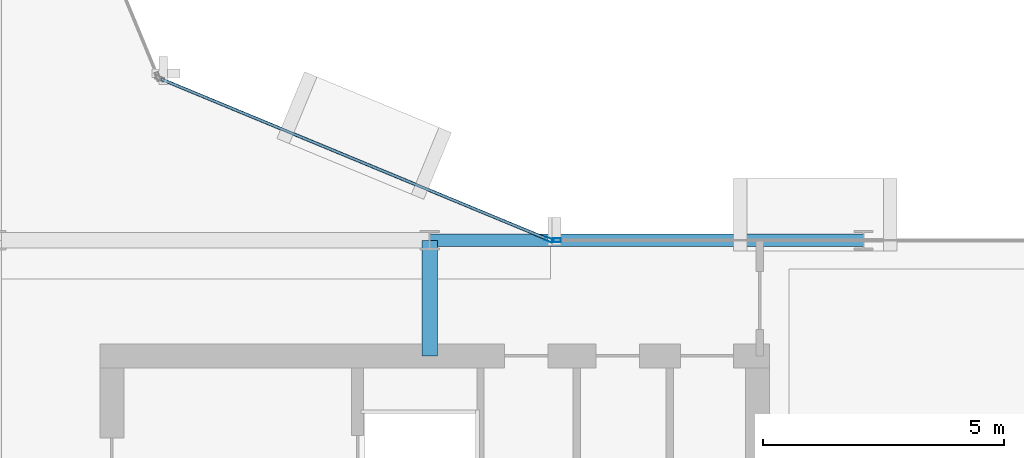
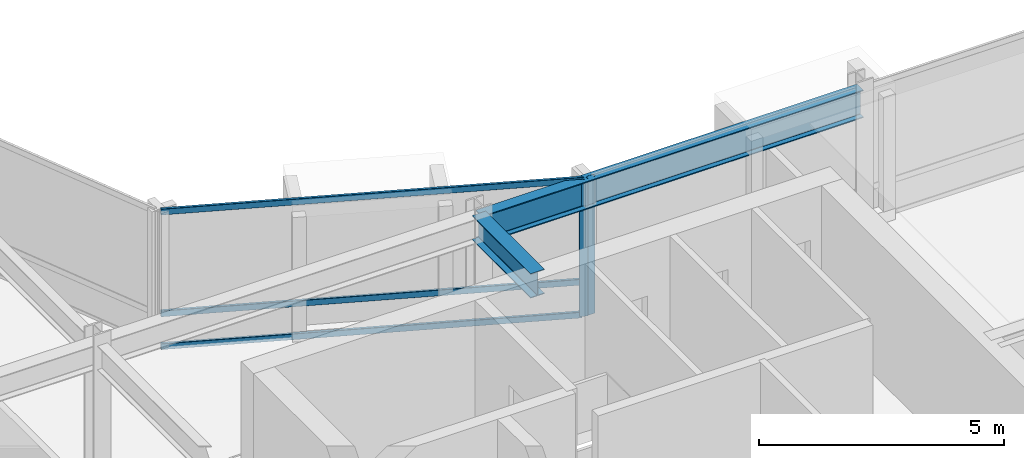
# One storey, part 12 of 27: 5 members, 2 beams, 2 elements without a shape of their own.
"""IFC4 building model written with IfcOpenShell, lengths in metres."""

from ifc_helpers import new_model, si_unit, direction, frame, origin, origin_2d, place, context, subcontext, project, spatial, hollow_rectangle, i_section, extrude, material, layer, layer_set, material_profile, profile_set, type_object, element, aggregate, save


model = new_model("IFC4")

# Units and contexts
model_context = context("Model", 3, precision=1e-05, world=origin(), true_north=direction((0.0, 1.0)))
body_context = subcontext(model_context, "Body", "Model", "MODEL_VIEW")
ifc_project = project(units=[si_unit("LENGTHUNIT", "METRE"), si_unit("AREAUNIT", "SQUARE_METRE"), si_unit("VOLUMEUNIT", "CUBIC_METRE"), si_unit("PLANEANGLEUNIT", "RADIAN"), si_unit("MASSUNIT", "GRAM", prefix="KILO")], contexts=[model_context])

# Site, building, storey
site_placement = place(None, origin())
site = spatial("IfcSite", under=ifc_project, at=site_placement, CompositionType="ELEMENT")
building_placement = place(site_placement, origin())
building = spatial("IfcBuilding", under=site, at=building_placement, Name="Solvaryn Broadcast Tower", CompositionType="ELEMENT")
storey_placement = place(building_placement, frame((0.0, 0.0, 221.0)))
storey = spatial("IfcBuildingStorey", under=building, at=storey_placement, Name="L55", CompositionType="ELEMENT", Elevation=221.0)

# Beams
ifc_material_1 = material(Name="Steel ASTM A992 Grade 50", Category="steel")
ifc_material_profile_1 = material_profile(ifc_material_1, i_section(OverallWidth=0.323974609375, OverallDepth=0.611083984375, WebThickness=0.0126953125, FlangeThickness=0.01904296875, FilletRadius=0.014892578125, at=origin_2d()))
ifc_profile_set_1 = profile_set([ifc_material_profile_1], Name="Steel ASTM A992 Grade 50")
beam_type_1 = type_object("IfcBeamType", Name="BM-B1-W24X104", PredefinedType="BEAM", material=ifc_profile_set_1)
beam_1_placement = place(storey_placement, frame((36.0, 24.60009765625, 3.114501953125), z_axis=(0.0, 1.0, 0.0), x_axis=(-1.0, 0.0, 0.0)))
element("IfcBeam", 1, at=beam_1_placement, inside=storey, type_object=beam_type_1, Name="L55 Core Tie Beam CTE2", PredefinedType="BEAM", context=body_context, shape_type="SweptSolid", body=[
    extrude(i_section(OverallWidth=0.323974609375, OverallDepth=0.611083984375, WebThickness=0.0126953125, FlangeThickness=0.01904296875, FilletRadius=0.014892578125, at=origin_2d()), origin(), (0.0, 0.0, 1.0), 2.39990234375),
])
ifc_material_2 = material(Name="Steel ASTM A992 Grade 50", Category="steel")
ifc_material_profile_2 = material_profile(ifc_material_2, i_section(OverallWidth=0.256103515625, OverallDepth=0.693115234375, WebThickness=0.014404296875, FlangeThickness=0.023681640625, FilletRadius=0.01611328125, at=origin_2d()))
ifc_profile_set_2 = profile_set([ifc_material_profile_2], Name="Steel ASTM A992 Grade 50")
beam_type_2 = type_object("IfcBeamType", Name="BM-SP3-W27X114", PredefinedType="USERDEFINED", material=ifc_profile_set_2)
beam_2_placement = place(storey_placement, frame((36.0, 27.0, 3.073486328125), z_axis=(1.0, 0.0, 0.0), x_axis=(0.0, 1.0, 0.0)))
element("IfcBeam", 2, at=beam_2_placement, inside=storey, type_object=beam_type_2, Name="L55 Spandrel Beam X (36-45 @ Y=27)", ObjectType="SPANDREL", PredefinedType="USERDEFINED", context=body_context, shape_type="SweptSolid", body=[
    extrude(i_section(OverallWidth=0.256103515625, OverallDepth=0.693115234375, WebThickness=0.014404296875, FlangeThickness=0.023681640625, FilletRadius=0.01611328125, at=origin_2d()), origin(), (0.0, 0.0, 1.0), 9.0),
])

# Curtain wall, member
ifc_material_3 = material(Name="Aluminium and Terracotta Unitised Curtain Wall", Category="masonry")
ifc_layer = layer(ifc_material_3, 0.199951171875)
ifc_layer_set = layer_set([ifc_layer], Name="CW-SYS2-LOWMID")
curtain_wall_type = type_object("IfcCurtainWallType", Name="CW-SYS2-LOWMID", PredefinedType="NOTDEFINED", material=ifc_layer_set)
curtain_wall_1_placement = place(storey_placement, origin())
curtain_wall_1 = element("IfcCurtainWall", 3, at=curtain_wall_1_placement, inside=storey, type_object=curtain_wall_type, Name="L55 Curtain Wall CN1", PredefinedType="NOTDEFINED")
ifc_material_4 = material(Name="Anodised Aluminium 6063-T6", Category="aluminium")
ifc_material_profile_3 = material_profile(ifc_material_4, hollow_rectangle(XDim=0.074951171875, YDim=0.179931640625, WallThickness=0.00390625, InnerFilletRadius=0.00390625, OuterFilletRadius=0.008056640625, at=origin_2d()))
ifc_profile_set_3 = profile_set([ifc_material_profile_3], Name="Anodised Aluminium 6063-T6")
member_type_1 = type_object("IfcMemberType", Name="CW-MUL-180", PredefinedType="MULLION", material=ifc_profile_set_3)
member_1_placement = place(storey_placement, frame((38.47216796875, 27.011474609375, 0.0), z_axis=(0.0, 0.0, 1.0), x_axis=(-0.382646127145, -0.923894983957, 0.0)))
member_1 = element("IfcMember", 4, at=member_1_placement, type_object=member_type_1, Name="CWS2 mullion 1", PredefinedType="MULLION", context=body_context, shape_type="SweptSolid", body=[
    extrude(hollow_rectangle(XDim=0.074951171875, YDim=0.179931640625, WallThickness=0.00390625, InnerFilletRadius=0.00390625, OuterFilletRadius=0.008056640625, at=origin_2d()), origin(), (0.0, 0.0, 1.0), 3.419921875),
])

curtain_wall_2_placement = place(storey_placement, origin())
curtain_wall_2 = element("IfcCurtainWall", 5, at=curtain_wall_2_placement, inside=storey, type_object=curtain_wall_type, Name="L55 Curtain Wall IH", PredefinedType="NOTDEFINED")
member_2_placement = place(storey_placement, frame((38.6298828125, 27.0, 0.0), z_axis=(0.0, 0.0, 1.0), x_axis=(0.0, 1.0, 0.0)))
member_2 = element("IfcMember", 6, at=member_2_placement, type_object=member_type_1, Name="CWS2 mullion 1", PredefinedType="MULLION", context=body_context, shape_type="SweptSolid", body=[
    extrude(hollow_rectangle(XDim=0.074951171875, YDim=0.179931640625, WallThickness=0.00390625, InnerFilletRadius=0.00390625, OuterFilletRadius=0.008056640625, at=origin_2d()), origin(), (0.0, 0.0, 1.0), 3.419921875),
])
aggregate(curtain_wall_2, [member_2])

# Member
ifc_material_5 = material(Name="Anodised Aluminium 6063-T6", Category="aluminium")
ifc_material_profile_4 = material_profile(ifc_material_5, hollow_rectangle(XDim=0.06494140625, YDim=0.14990234375, WallThickness=0.00390625, InnerFilletRadius=0.00390625, OuterFilletRadius=0.008056640625, at=origin_2d()))
ifc_profile_set_4 = profile_set([ifc_material_profile_4], Name="Anodised Aluminium 6063-T6")
member_type_2 = type_object("IfcMemberType", Name="CW-TRN-150", PredefinedType="USERDEFINED", material=ifc_profile_set_4)
member_3_placement = place(storey_placement, frame((38.444580078125, 27.02294921875, 0.030029296875), z_axis=(-0.923899282177, 0.382635748975, 0.0), x_axis=(-0.382635748975, -0.923899282177, 0.0)))
member_3 = element("IfcMember", 7, at=member_3_placement, type_object=member_type_2, Name="CWS2 transom 1.1", ObjectType="TRANSOM", PredefinedType="USERDEFINED", context=body_context, shape_type="SweptSolid", body=[
    extrude(hollow_rectangle(XDim=0.06494140625, YDim=0.14990234375, WallThickness=0.00390625, InnerFilletRadius=0.00390625, OuterFilletRadius=0.008056640625, at=origin_2d()), origin(), (0.0, 0.0, 1.0), 8.681884765625),
])

member_4_placement = place(storey_placement, frame((38.444580078125, 27.02294921875, 0.85009765625), z_axis=(-0.923899282177, 0.382635748975, 0.0), x_axis=(-0.382635748975, -0.923899282177, 0.0)))
member_4 = element("IfcMember", 8, at=member_4_placement, type_object=member_type_2, Name="CWS2 transom 1.2", ObjectType="TRANSOM", PredefinedType="USERDEFINED", context=body_context, shape_type="SweptSolid", body=[
    extrude(hollow_rectangle(XDim=0.06494140625, YDim=0.14990234375, WallThickness=0.00390625, InnerFilletRadius=0.00390625, OuterFilletRadius=0.008056640625, at=origin_2d()), origin(), (0.0, 0.0, 1.0), 8.681884765625),
])

member_5_placement = place(storey_placement, frame((38.444580078125, 27.02294921875, 3.389892578125), z_axis=(-0.923899282177, 0.382635748975, 0.0), x_axis=(-0.382635748975, -0.923899282177, 0.0)))
member_5 = element("IfcMember", 9, at=member_5_placement, type_object=member_type_2, Name="CWS2 transom 1.3", ObjectType="TRANSOM", PredefinedType="USERDEFINED", context=body_context, shape_type="SweptSolid", body=[
    extrude(hollow_rectangle(XDim=0.06494140625, YDim=0.14990234375, WallThickness=0.00390625, InnerFilletRadius=0.00390625, OuterFilletRadius=0.008056640625, at=origin_2d()), origin(), (0.0, 0.0, 1.0), 8.681884765625),
])

aggregate(curtain_wall_1, [member_1, member_3, member_4, member_5])

save(model, "model.ifc")
